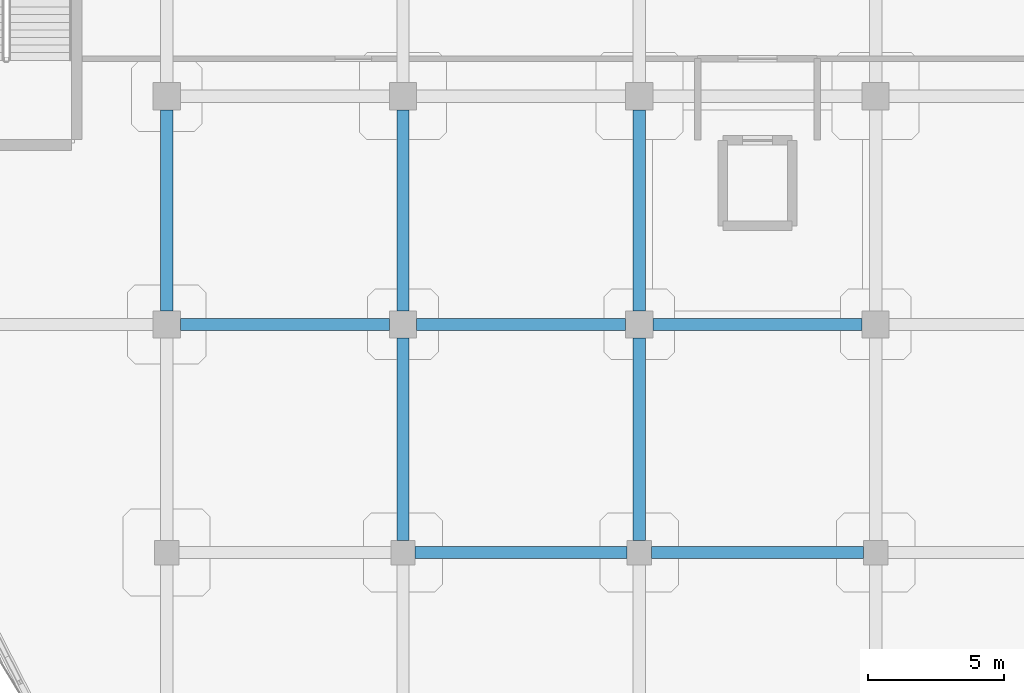
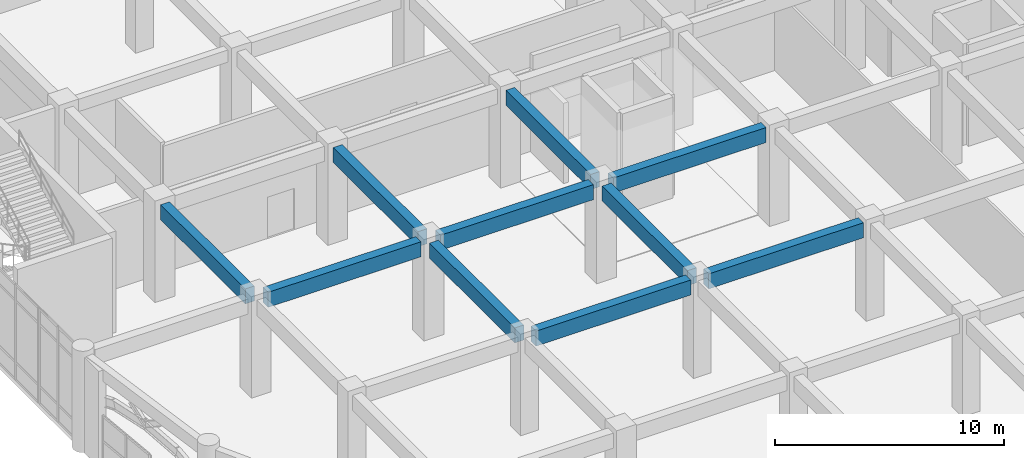
# One storey, part 11 of 114: 10 beams.
"""IFC4 building model written with IfcOpenShell, lengths in metres."""

from ifc_helpers import new_model, si_unit, derived_unit, direction, frame, origin, origin_2d, place, context, subcontext, project, spatial, rectangle, extrude, material, material_profile, profile_set, type_object, element, save


model = new_model("IFC4")

# Units and contexts
model_context = context("Model", 3, precision=1e-05, world=origin(), true_north=direction((0.0, 1.0)))
body_context = subcontext(model_context, "Body", "Model", "MODEL_VIEW")
ifc_project = project(units=[si_unit("LENGTHUNIT", "METRE"), si_unit("AREAUNIT", "SQUARE_METRE"), si_unit("VOLUMEUNIT", "CUBIC_METRE"), si_unit("PLANEANGLEUNIT", "RADIAN"), si_unit("MASSUNIT", "GRAM", prefix="KILO"), derived_unit("THERMALTRANSMITTANCEUNIT", [(si_unit("MASSUNIT", "GRAM", prefix="KILO"), 1), (si_unit("TIMEUNIT", "SECOND"), -3), (si_unit("THERMODYNAMICTEMPERATUREUNIT", "KELVIN"), -1)])], contexts=[model_context])

# Site, building, storey
site_placement = place(None, origin())
site = spatial("IfcSite", under=ifc_project, at=site_placement, CompositionType="ELEMENT")
building_placement = place(site_placement, origin())
building = spatial("IfcBuilding", under=site, at=building_placement, Name="Qinzheling Arcade Emporium", CompositionType="ELEMENT")
storey_placement = place(building_placement, frame((0.0, 0.0, 6.0)))
storey = spatial("IfcBuildingStorey", under=building, at=storey_placement, Name="L02", CompositionType="ELEMENT", Elevation=6.0)

# Beams
ifc_material = material(Name="Concrete C40", Category="concrete")
ifc_material_profile = material_profile(ifc_material, rectangle(XDim=0.449951171875, YDim=0.800048828125, at=origin_2d()), Name="RC 450x800", Category="concrete")
ifc_profile_set = profile_set([ifc_material_profile], Name="Concrete C40")
beam_type = type_object("IfcBeamType", Name="RC Primary Frame Beam 450x800 C40", PredefinedType="BEAM", material=ifc_profile_set)
beam_1_placement = place(storey_placement, frame((17.85009765625, 16.800048828125, 4.719970703125), z_axis=(1.0, 0.0, 0.0), x_axis=(0.0, 1.0, 0.0)))
element("IfcBeam", 1, at=beam_1_placement, inside=storey, type_object=beam_type, Name="Beam BM-L02-X-C-3", PredefinedType="BEAM", context=body_context, shape_type="SweptSolid", body=[
    extrude(rectangle(XDim=0.449951171875, YDim=0.800048828125, at=origin_2d()), origin(), (0.0, 0.0, 1.0), 7.7998046875),
])
beam_2_placement = place(storey_placement, frame((26.550048828125, 16.800048828125, 4.719970703125), z_axis=(1.0, 0.0, 0.0), x_axis=(0.0, 1.0, 0.0)))
element("IfcBeam", 2, at=beam_2_placement, inside=storey, type_object=beam_type, Name="Beam BM-L02-X-C-4", PredefinedType="BEAM", context=body_context, shape_type="SweptSolid", body=[
    extrude(rectangle(XDim=0.449951171875, YDim=0.800048828125, at=origin_2d()), origin(), (0.0, 0.0, 1.0), 7.800048828125),
])
beam_3_placement = place(storey_placement, frame((9.199951171875, 25.199951171875, 4.719970703125), z_axis=(1.0, 0.0, 0.0), x_axis=(0.0, 1.0, 0.0)))
element("IfcBeam", 3, at=beam_3_placement, inside=storey, type_object=beam_type, Name="Beam BM-L02-X-D-2", PredefinedType="BEAM", context=body_context, shape_type="SweptSolid", body=[
    extrude(rectangle(XDim=0.449951171875, YDim=0.800048828125, at=origin_2d()), origin(), (0.0, 0.0, 1.0), 7.699951171875),
])
beam_4_placement = place(storey_placement, frame((17.89990234375, 25.199951171875, 4.719970703125), z_axis=(1.0, 0.0, 0.0), x_axis=(0.0, 1.0, 0.0)))
element("IfcBeam", 4, at=beam_4_placement, inside=storey, type_object=beam_type, Name="Beam BM-L02-X-D-3", PredefinedType="BEAM", context=body_context, shape_type="SweptSolid", body=[
    extrude(rectangle(XDim=0.449951171875, YDim=0.800048828125, at=origin_2d()), origin(), (0.0, 0.0, 1.0), 7.7001953125),
])
beam_5_placement = place(storey_placement, frame((26.60009765625, 25.199951171875, 4.719970703125), z_axis=(1.0, 0.0, 0.0), x_axis=(0.0, 1.0, 0.0)))
element("IfcBeam", 5, at=beam_5_placement, inside=storey, type_object=beam_type, Name="Beam BM-L02-X-D-4", PredefinedType="BEAM", context=body_context, shape_type="SweptSolid", body=[
    extrude(rectangle(XDim=0.449951171875, YDim=0.800048828125, at=origin_2d()), origin(), (0.0, 0.0, 1.0), 7.699951171875),
])
beam_6_placement = place(storey_placement, frame((8.699951171875, 25.699951171875, 4.719970703125), z_axis=(0.0, 1.0, 0.0), x_axis=(-1.0, 0.0, 0.0)))
element("IfcBeam", 6, at=beam_6_placement, inside=storey, type_object=beam_type, Name="Beam BM-L02-Y-2-D", PredefinedType="BEAM", context=body_context, shape_type="SweptSolid", body=[
    extrude(rectangle(XDim=0.449951171875, YDim=0.800048828125, at=origin_2d()), origin(), (0.0, 0.0, 1.0), 7.400146484375),
])
beam_7_placement = place(storey_placement, frame((17.39990234375, 17.25, 4.719970703125), z_axis=(0.0, 1.0, 0.0), x_axis=(-1.0, 0.0, 0.0)))
element("IfcBeam", 7, at=beam_7_placement, inside=storey, type_object=beam_type, Name="Beam BM-L02-Y-3-C", PredefinedType="BEAM", context=body_context, shape_type="SweptSolid", body=[
    extrude(rectangle(XDim=0.449951171875, YDim=0.800048828125, at=origin_2d()), origin(), (0.0, 0.0, 1.0), 7.449951171875),
])
beam_8_placement = place(storey_placement, frame((17.39990234375, 25.699951171875, 4.719970703125), z_axis=(0.0, 1.0, 0.0), x_axis=(-1.0, 0.0, 0.0)))
element("IfcBeam", 8, at=beam_8_placement, inside=storey, type_object=beam_type, Name="Beam BM-L02-Y-3-D", PredefinedType="BEAM", context=body_context, shape_type="SweptSolid", body=[
    extrude(rectangle(XDim=0.449951171875, YDim=0.800048828125, at=origin_2d()), origin(), (0.0, 0.0, 1.0), 7.400146484375),
])
beam_9_placement = place(storey_placement, frame((26.10009765625, 17.25, 4.719970703125), z_axis=(0.0, 1.0, 0.0), x_axis=(-1.0, 0.0, 0.0)))
element("IfcBeam", 9, at=beam_9_placement, inside=storey, type_object=beam_type, Name="Beam BM-L02-Y-4-C", PredefinedType="BEAM", context=body_context, shape_type="SweptSolid", body=[
    extrude(rectangle(XDim=0.449951171875, YDim=0.800048828125, at=origin_2d()), origin(), (0.0, 0.0, 1.0), 7.449951171875),
])
beam_10_placement = place(storey_placement, frame((26.10009765625, 25.699951171875, 4.719970703125), z_axis=(0.0, 1.0, 0.0), x_axis=(-1.0, 0.0, 0.0)))
element("IfcBeam", 10, at=beam_10_placement, inside=storey, type_object=beam_type, Name="Beam BM-L02-Y-4-D", PredefinedType="BEAM", context=body_context, shape_type="SweptSolid", body=[
    extrude(rectangle(XDim=0.449951171875, YDim=0.800048828125, at=origin_2d()), origin(), (0.0, 0.0, 1.0), 7.400146484375),
])

save(model, "model.ifc")
